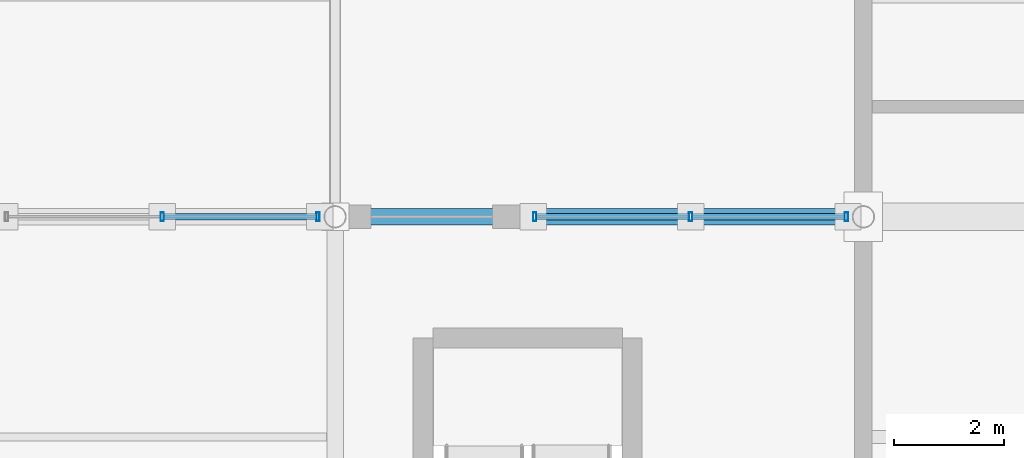
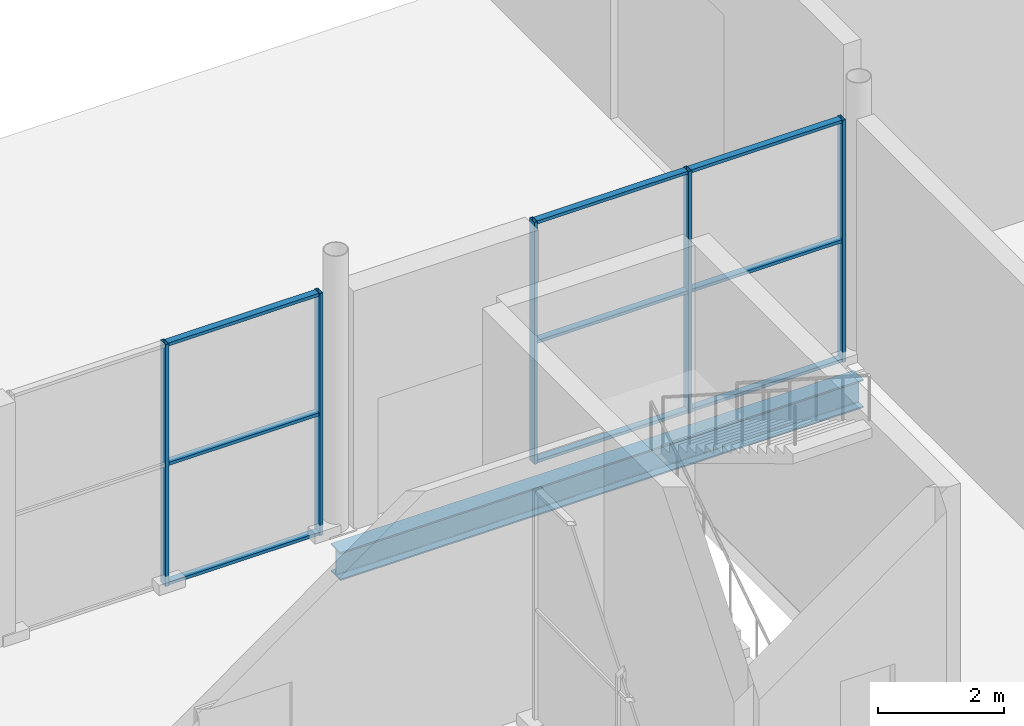
# One storey, part 121 of 196: 14 members, 1 beam, 2 elements without a shape of their own.
"""IFC4 building model written with IfcOpenShell, lengths in metres."""

from ifc_helpers import new_model, si_unit, direction, frame, origin, origin_2d, place, context, subcontext, project, spatial, hollow_rectangle, i_section, extrude, material, material_profile, profile_set, type_object, element, aggregate, save


model = new_model("IFC4")

# Units and contexts
model_context = context("Model", 3, precision=1e-05, world=origin(), true_north=direction((0.0, 1.0)))
body_context = subcontext(model_context, "Body", "Model", "MODEL_VIEW")
ifc_project = project(units=[si_unit("LENGTHUNIT", "METRE"), si_unit("AREAUNIT", "SQUARE_METRE"), si_unit("VOLUMEUNIT", "CUBIC_METRE"), si_unit("PLANEANGLEUNIT", "RADIAN"), si_unit("MASSUNIT", "GRAM", prefix="KILO")], contexts=[model_context])

# Site, building, storey
site_placement = place(None, origin())
site = spatial("IfcSite", under=ifc_project, at=site_placement, CompositionType="ELEMENT")
building_placement = place(site_placement, origin())
building = spatial("IfcBuilding", under=site, at=building_placement, Name="Merenkruunu Market Hall", CompositionType="ELEMENT")
storey_placement = place(building_placement, origin())
storey = spatial("IfcBuildingStorey", under=building, at=storey_placement, Name="L00", CompositionType="ELEMENT", Elevation=0.0)

# Curtain wall, members
ifc_material_1 = material(Name="Powder-coated aluminium", Category="aluminium")
curtain_wall_type = type_object("IfcCurtainWallType", Name="Glazed Curtain Wall CW06", PredefinedType="USERDEFINED", material=ifc_material_1)
curtain_wall_1_placement = place(storey_placement, origin())
curtain_wall_1 = element("IfcCurtainWall", 1, at=curtain_wall_1_placement, inside=storey, type_object=curtain_wall_type, Name="CW-L00-CWM01-142", ObjectType="GLAZED_FACADE", PredefinedType="USERDEFINED")
ifc_material_profile_1 = material_profile(ifc_material_1, hollow_rectangle(XDim=0.06005859375, YDim=0.159912109375, WallThickness=0.00390625, at=origin_2d()), Name="ALU 60x160x4")
ifc_profile_set_1 = profile_set([ifc_material_profile_1], Name="Powder-coated aluminium")
member_type_1 = type_object("IfcMemberType", Name="Curtain Wall Mullion CWM01", PredefinedType="MULLION", material=ifc_profile_set_1)
member_1_placement = place(storey_placement, frame((64.06005859375, 99.60009765625, 0.0), z_axis=(0.0, 0.0, 1.0), x_axis=(1.0, 0.0, 0.0)))
member_1 = element("IfcMember", 2, at=member_1_placement, type_object=member_type_1, Name="CW06 mullion 2", PredefinedType="MULLION", context=body_context, shape_type="SweptSolid", body=[
    extrude(hollow_rectangle(XDim=0.06005859375, YDim=0.159912109375, WallThickness=0.00390625, at=origin_2d()), origin(), (0.0, 0.0, 1.0), 4.699951171875),
])
member_2_placement = place(storey_placement, frame((66.889892578125, 99.60009765625, 0.0), z_axis=(0.0, 0.0, 1.0), x_axis=(1.0, 0.0, 0.0)))
member_2 = element("IfcMember", 3, at=member_2_placement, type_object=member_type_1, Name="CW06 mullion 3", PredefinedType="MULLION", context=body_context, shape_type="SweptSolid", body=[
    extrude(hollow_rectangle(XDim=0.06005859375, YDim=0.159912109375, WallThickness=0.00390625, at=origin_2d()), origin(), (0.0, 0.0, 1.0), 4.699951171875),
])

curtain_wall_2_placement = place(storey_placement, origin())
curtain_wall_2 = element("IfcCurtainWall", 4, at=curtain_wall_2_placement, inside=storey, type_object=curtain_wall_type, Name="CW-L00-CWM01-148", ObjectType="GLAZED_FACADE", PredefinedType="USERDEFINED")
member_3_placement = place(storey_placement, frame((70.830078125, 99.60009765625, 0.0), z_axis=(0.0, 0.0, 1.0), x_axis=(1.0, 0.0, 0.0)))
member_3 = element("IfcMember", 5, at=member_3_placement, type_object=member_type_1, Name="CW06 mullion 1", PredefinedType="MULLION", context=body_context, shape_type="SweptSolid", body=[
    extrude(hollow_rectangle(XDim=0.06005859375, YDim=0.159912109375, WallThickness=0.00390625, at=origin_2d()), origin(), (0.0, 0.0, 1.0), 4.699951171875),
])
member_4_placement = place(storey_placement, frame((73.659912109375, 99.60009765625, 0.0), z_axis=(0.0, 0.0, 1.0), x_axis=(1.0, 0.0, 0.0)))
member_4 = element("IfcMember", 6, at=member_4_placement, type_object=member_type_1, Name="CW06 mullion 2", PredefinedType="MULLION", context=body_context, shape_type="SweptSolid", body=[
    extrude(hollow_rectangle(XDim=0.06005859375, YDim=0.159912109375, WallThickness=0.00390625, at=origin_2d()), origin(), (0.0, 0.0, 1.0), 4.699951171875),
])
member_5_placement = place(storey_placement, frame((76.489990234375, 99.60009765625, 0.0), z_axis=(0.0, 0.0, 1.0), x_axis=(1.0, 0.0, 0.0)))
member_5 = element("IfcMember", 7, at=member_5_placement, type_object=member_type_1, Name="CW06 mullion 3", PredefinedType="MULLION", context=body_context, shape_type="SweptSolid", body=[
    extrude(hollow_rectangle(XDim=0.06005859375, YDim=0.159912109375, WallThickness=0.00390625, at=origin_2d()), origin(), (0.0, 0.0, 1.0), 4.699951171875),
])

# Member
ifc_material_profile_2 = material_profile(ifc_material_1, hollow_rectangle(XDim=0.06005859375, YDim=0.125, WallThickness=0.00390625, at=origin_2d()), Name="ALU 60x125x4")
ifc_profile_set_2 = profile_set([ifc_material_profile_2], Name="Powder-coated aluminium")
member_type_2 = type_object("IfcMemberType", Name="Curtain Wall Transom CWT01", PredefinedType="USERDEFINED", material=ifc_profile_set_2)
member_6_placement = place(storey_placement, frame((64.090087890625, 99.60009765625, 0.030029296875), z_axis=(1.0, 0.0, 0.0), x_axis=(0.0, 0.0, 1.0)))
member_6 = element("IfcMember", 8, at=member_6_placement, type_object=member_type_2, Name="CW06 transom 2.1", ObjectType="TRANSOM", PredefinedType="USERDEFINED", context=body_context, shape_type="SweptSolid", body=[
    extrude(hollow_rectangle(XDim=0.06005859375, YDim=0.125, WallThickness=0.00390625, at=origin_2d()), origin(), (0.0, 0.0, 1.0), 2.77001953125),
])

member_7_placement = place(storey_placement, frame((64.090087890625, 99.60009765625, 2.35009765625), z_axis=(1.0, 0.0, 0.0), x_axis=(0.0, 0.0, 1.0)))
member_7 = element("IfcMember", 9, at=member_7_placement, type_object=member_type_2, Name="CW06 transom 2.2", ObjectType="TRANSOM", PredefinedType="USERDEFINED", context=body_context, shape_type="SweptSolid", body=[
    extrude(hollow_rectangle(XDim=0.06005859375, YDim=0.125, WallThickness=0.00390625, at=origin_2d()), origin(), (0.0, 0.0, 1.0), 2.77001953125),
])

member_8_placement = place(storey_placement, frame((64.090087890625, 99.60009765625, 4.669921875), z_axis=(1.0, 0.0, 0.0), x_axis=(0.0, 0.0, 1.0)))
member_8 = element("IfcMember", 10, at=member_8_placement, type_object=member_type_2, Name="CW06 transom 2.3", ObjectType="TRANSOM", PredefinedType="USERDEFINED", context=body_context, shape_type="SweptSolid", body=[
    extrude(hollow_rectangle(XDim=0.06005859375, YDim=0.125, WallThickness=0.00390625, at=origin_2d()), origin(), (0.0, 0.0, 1.0), 2.77001953125),
])

aggregate(curtain_wall_1, [member_1, member_2, member_6, member_7, member_8])

member_9_placement = place(storey_placement, frame((70.860107421875, 99.60009765625, 0.030029296875), z_axis=(1.0, 0.0, 0.0), x_axis=(0.0, 0.0, 1.0)))
member_9 = element("IfcMember", 11, at=member_9_placement, type_object=member_type_2, Name="CW06 transom 1.1", ObjectType="TRANSOM", PredefinedType="USERDEFINED", context=body_context, shape_type="SweptSolid", body=[
    extrude(hollow_rectangle(XDim=0.06005859375, YDim=0.125, WallThickness=0.00390625, at=origin_2d()), origin(), (0.0, 0.0, 1.0), 2.769775390625),
])

member_10_placement = place(storey_placement, frame((70.860107421875, 99.60009765625, 2.35009765625), z_axis=(1.0, 0.0, 0.0), x_axis=(0.0, 0.0, 1.0)))
member_10 = element("IfcMember", 12, at=member_10_placement, type_object=member_type_2, Name="CW06 transom 1.2", ObjectType="TRANSOM", PredefinedType="USERDEFINED", context=body_context, shape_type="SweptSolid", body=[
    extrude(hollow_rectangle(XDim=0.06005859375, YDim=0.125, WallThickness=0.00390625, at=origin_2d()), origin(), (0.0, 0.0, 1.0), 2.769775390625),
])

member_11_placement = place(storey_placement, frame((70.860107421875, 99.60009765625, 4.669921875), z_axis=(1.0, 0.0, 0.0), x_axis=(0.0, 0.0, 1.0)))
member_11 = element("IfcMember", 13, at=member_11_placement, type_object=member_type_2, Name="CW06 transom 1.3", ObjectType="TRANSOM", PredefinedType="USERDEFINED", context=body_context, shape_type="SweptSolid", body=[
    extrude(hollow_rectangle(XDim=0.06005859375, YDim=0.125, WallThickness=0.00390625, at=origin_2d()), origin(), (0.0, 0.0, 1.0), 2.769775390625),
])

member_12_placement = place(storey_placement, frame((73.68994140625, 99.60009765625, 0.030029296875), z_axis=(1.0, 0.0, 0.0), x_axis=(0.0, 0.0, 1.0)))
member_12 = element("IfcMember", 14, at=member_12_placement, type_object=member_type_2, Name="CW06 transom 2.1", ObjectType="TRANSOM", PredefinedType="USERDEFINED", context=body_context, shape_type="SweptSolid", body=[
    extrude(hollow_rectangle(XDim=0.06005859375, YDim=0.125, WallThickness=0.00390625, at=origin_2d()), origin(), (0.0, 0.0, 1.0), 2.77001953125),
])

member_13_placement = place(storey_placement, frame((73.68994140625, 99.60009765625, 2.35009765625), z_axis=(1.0, 0.0, 0.0), x_axis=(0.0, 0.0, 1.0)))
member_13 = element("IfcMember", 15, at=member_13_placement, type_object=member_type_2, Name="CW06 transom 2.2", ObjectType="TRANSOM", PredefinedType="USERDEFINED", context=body_context, shape_type="SweptSolid", body=[
    extrude(hollow_rectangle(XDim=0.06005859375, YDim=0.125, WallThickness=0.00390625, at=origin_2d()), origin(), (0.0, 0.0, 1.0), 2.77001953125),
])

member_14_placement = place(storey_placement, frame((73.68994140625, 99.60009765625, 4.669921875), z_axis=(1.0, 0.0, 0.0), x_axis=(0.0, 0.0, 1.0)))
member_14 = element("IfcMember", 16, at=member_14_placement, type_object=member_type_2, Name="CW06 transom 2.3", ObjectType="TRANSOM", PredefinedType="USERDEFINED", context=body_context, shape_type="SweptSolid", body=[
    extrude(hollow_rectangle(XDim=0.06005859375, YDim=0.125, WallThickness=0.00390625, at=origin_2d()), origin(), (0.0, 0.0, 1.0), 2.77001953125),
])

aggregate(curtain_wall_2, [member_3, member_4, member_5, member_9, member_10, member_11, member_12, member_13, member_14])

# Beam
ifc_material_2 = material(Name="Steel S355J2", Category="steel")
ifc_material_profile_3 = material_profile(ifc_material_2, i_section(OverallWidth=0.300048828125, OverallDepth=0.550048828125, WebThickness=0.014892578125, FlangeThickness=0.029052734375, FilletRadius=0.027099609375, at=origin_2d()), Name="HEB 550")
ifc_profile_set_3 = profile_set([ifc_material_profile_3], Name="Steel S355J2")
beam_type = type_object("IfcBeamType", Name="Primary Floor Girder B02", PredefinedType="BEAM", material=ifc_profile_set_3)
beam_placement = place(storey_placement, frame((67.199951171875, 99.60009765625, -0.675048828125), z_axis=(1.0, 0.0, 0.0), x_axis=(0.0, 1.0, 0.0)))
element("IfcBeam", 17, at=beam_placement, inside=storey, type_object=beam_type, Name="BM-L00-B02-0121", PredefinedType="BEAM", context=body_context, shape_type="SweptSolid", body=[
    extrude(i_section(OverallWidth=0.300048828125, OverallDepth=0.550048828125, WebThickness=0.014892578125, FlangeThickness=0.029052734375, FilletRadius=0.027099609375, at=origin_2d()), origin(), (0.0, 0.0, 1.0), 9.60009765625),
])

save(model, "model.ifc")
